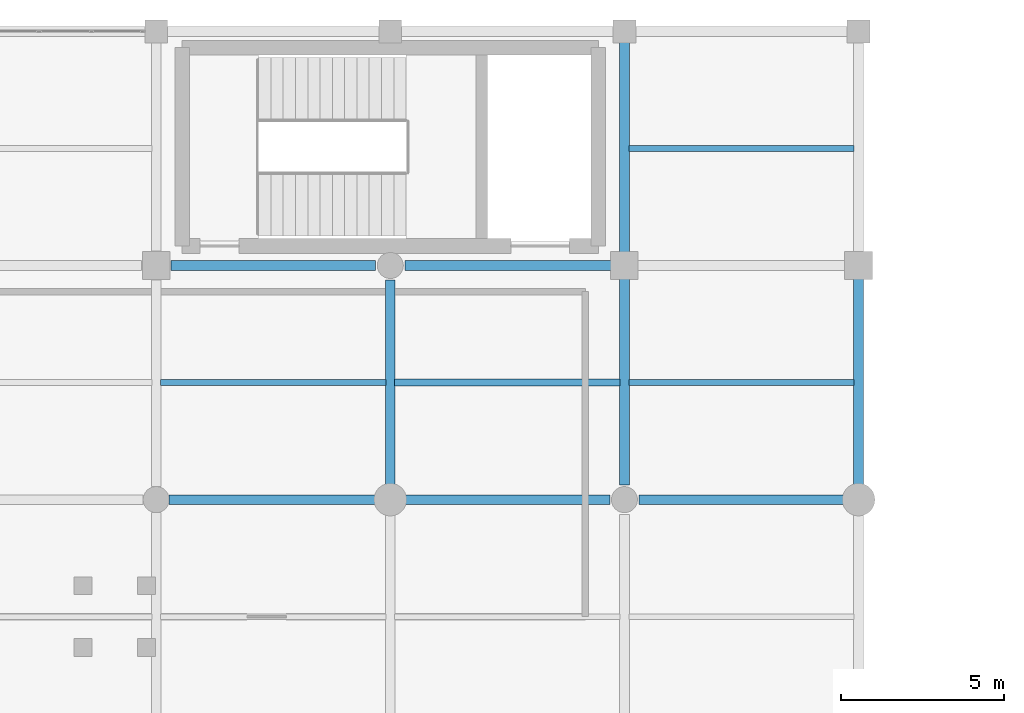
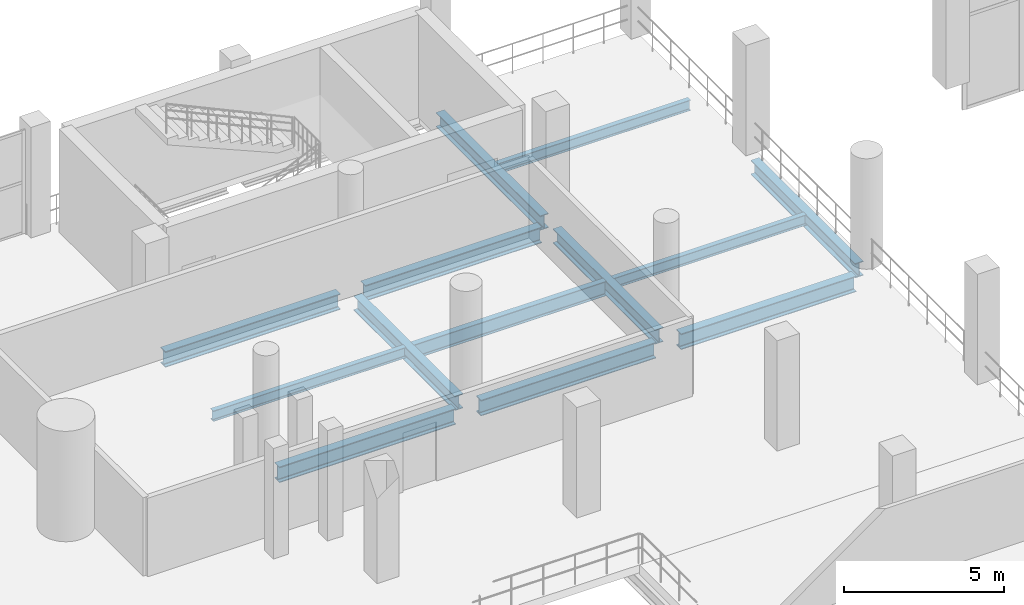
# One storey, part 60 of 153: 13 beams.
"""IFC4 building model written with IfcOpenShell, lengths in metres."""

from ifc_helpers import new_model, si_unit, direction, frame, origin, origin_2d, place, context, subcontext, project, spatial, i_section, extrude, material, material_profile, profile_set, type_object, element, save


model = new_model("IFC4")

# Units and contexts
model_context = context("Model", 3, precision=1e-05, world=origin(), true_north=direction((0.0, 1.0)))
body_context = subcontext(model_context, "Body", "Model", "MODEL_VIEW")
ifc_project = project(units=[si_unit("LENGTHUNIT", "METRE"), si_unit("AREAUNIT", "SQUARE_METRE"), si_unit("VOLUMEUNIT", "CUBIC_METRE"), si_unit("PLANEANGLEUNIT", "RADIAN"), si_unit("MASSUNIT", "GRAM", prefix="KILO")], contexts=[model_context])

# Site, building, storey
site_placement = place(None, origin())
site = spatial("IfcSite", under=ifc_project, at=site_placement, CompositionType="ELEMENT")
building_placement = place(site_placement, origin())
building = spatial("IfcBuilding", under=site, at=building_placement, Name="Qandorah Velis Arena", CompositionType="ELEMENT")
storey_placement = place(building_placement, frame((0.0, 0.0, 5.39990234375)))
storey = spatial("IfcBuildingStorey", under=building, at=storey_placement, Name="L01", CompositionType="ELEMENT", Elevation=5.39990234375)

# Beams
ifc_material = material(Name="Steel S355", Category="steel")
ifc_material_profile_1 = material_profile(ifc_material, i_section(OverallWidth=0.300048828125, OverallDepth=0.550048828125, WebThickness=0.014892578125, FlangeThickness=0.029052734375, FilletRadius=0.027099609375, at=origin_2d()), Name="HEB 550")
ifc_profile_set_1 = profile_set([ifc_material_profile_1], Name="Steel S355")
beam_type_1 = type_object("IfcBeamType", Name="STR-BM-HEB550", PredefinedType="BEAM", material=ifc_profile_set_1)
beam_1_placement = place(storey_placement, frame((100.800048828125, 115.64990234375, -0.635009765625), z_axis=(0.0, 1.0, 0.0), x_axis=(-1.0, 0.0, 0.0)))
element("IfcBeam", 1, at=beam_1_placement, inside=storey, type_object=beam_type_1, Name="Primary floor girder L01 Y-358", PredefinedType="BEAM", context=body_context, shape_type="SweptSolid", body=[
    extrude(i_section(OverallWidth=0.300048828125, OverallDepth=0.550048828125, WebThickness=0.014892578125, FlangeThickness=0.029052734375, FilletRadius=0.027099609375, at=origin_2d()), origin(), (0.0, 0.0, 1.0), 6.300048828125),
])
beam_2_placement = place(storey_placement, frame((108.0, 115.64990234375, -0.635009765625), z_axis=(0.0, 1.0, 0.0), x_axis=(-1.0, 0.0, 0.0)))
element("IfcBeam", 2, at=beam_2_placement, inside=storey, type_object=beam_type_1, Name="Primary floor girder L01 Y-375", PredefinedType="BEAM", context=body_context, shape_type="SweptSolid", body=[
    extrude(i_section(OverallWidth=0.300048828125, OverallDepth=0.550048828125, WebThickness=0.014892578125, FlangeThickness=0.029052734375, FilletRadius=0.027099609375, at=origin_2d()), origin(), (0.0, 0.0, 1.0), 6.35009765625),
])
for number, where, z_axis, x_axis, name in (
    (3, (108.0, 122.800048828125, -0.635009765625), (0.0, 1.0, 0.0), (-1.0, 0.0, 0.0), "Primary floor girder L01 Y-376"),
    (4, (115.199951171875, 115.64990234375, -0.635009765625), (0.0, 1.0, 0.0), (-1.0, 0.0, 0.0), "Primary floor girder L01 Y-392"),
):
    element("IfcBeam", number, at=place(storey_placement, frame(where, z_axis=z_axis, x_axis=x_axis)), inside=storey, type_object=beam_type_1, Name=name, PredefinedType="BEAM", context=body_context, shape_type="SweptSolid", body=[
        extrude(i_section(OverallWidth=0.300048828125, OverallDepth=0.550048828125, WebThickness=0.014892578125, FlangeThickness=0.029052734375, FilletRadius=0.027099609375, at=origin_2d()), origin(), (0.0, 0.0, 1.0), 6.5),
    ])
ifc_material_profile_2 = material_profile(ifc_material, i_section(OverallWidth=0.300048828125, OverallDepth=0.60009765625, WebThickness=0.015380859375, FlangeThickness=0.030029296875, FilletRadius=0.027099609375, at=origin_2d()), Name="HEB 600")
ifc_profile_set_2 = profile_set([ifc_material_profile_2], Name="Steel S355")
beam_type_2 = type_object("IfcBeamType", Name="STR-BM-HEB600", PredefinedType="BEAM", material=ifc_profile_set_2)
beam_3_placement = place(storey_placement, frame((94.0, 115.199951171875, -0.659912109375), z_axis=(1.0, 0.0, 0.0), x_axis=(0.0, 1.0, 0.0)))
element("IfcBeam", 5, at=beam_3_placement, inside=storey, type_object=beam_type_2, Name="Primary floor girder L01 X-183", PredefinedType="BEAM", context=body_context, shape_type="SweptSolid", body=[
    extrude(i_section(OverallWidth=0.300048828125, OverallDepth=0.60009765625, WebThickness=0.015380859375, FlangeThickness=0.030029296875, FilletRadius=0.027099609375, at=origin_2d()), origin(), (0.0, 0.0, 1.0), 6.35009765625),
])
for number, where, z_axis, x_axis, name in (
    (6, (101.25, 115.199951171875, -0.659912109375), (1.0, 0.0, 0.0), (0.0, 1.0, 0.0), "Primary floor girder L01 X-184"),
    (7, (108.449951171875, 115.199951171875, -0.659912109375), (1.0, 0.0, 0.0), (0.0, 1.0, 0.0), "Primary floor girder L01 X-185"),
    (8, (94.050048828125, 122.39990234375, -0.659912109375), (1.0, 0.0, 0.0), (0.0, 1.0, 0.0), "Primary floor girder L01 X-200"),
):
    element("IfcBeam", number, at=place(storey_placement, frame(where, z_axis=z_axis, x_axis=x_axis)), inside=storey, type_object=beam_type_2, Name=name, PredefinedType="BEAM", context=body_context, shape_type="SweptSolid", body=[
        extrude(i_section(OverallWidth=0.300048828125, OverallDepth=0.60009765625, WebThickness=0.015380859375, FlangeThickness=0.030029296875, FilletRadius=0.027099609375, at=origin_2d()), origin(), (0.0, 0.0, 1.0), 6.300048828125),
    ])
beam_4_placement = place(storey_placement, frame((101.25, 122.39990234375, -0.659912109375), z_axis=(1.0, 0.0, 0.0), x_axis=(0.0, 1.0, 0.0)))
element("IfcBeam", 9, at=beam_4_placement, inside=storey, type_object=beam_type_2, Name="Primary floor girder L01 X-201", PredefinedType="BEAM", context=body_context, shape_type="SweptSolid", body=[
    extrude(i_section(OverallWidth=0.300048828125, OverallDepth=0.60009765625, WebThickness=0.015380859375, FlangeThickness=0.030029296875, FilletRadius=0.027099609375, at=origin_2d()), origin(), (0.0, 0.0, 1.0), 6.35009765625),
])
ifc_material_profile_3 = material_profile(ifc_material, i_section(OverallWidth=0.179931640625, OverallDepth=0.39990234375, WebThickness=0.008544921875, FlangeThickness=0.013427734375, FilletRadius=0.02099609375, at=origin_2d()), Name="IPE 400")
ifc_profile_set_3 = profile_set([ifc_material_profile_3], Name="Steel S355")
beam_type_3 = type_object("IfcBeamType", Name="STR-JST-IPE400", PredefinedType="JOIST", material=ifc_profile_set_3)
for number, where, z_axis, x_axis, name in (
    (10, (93.735107421875, 118.800048828125, -0.559814453125), (1.0, 0.0, 0.0), (0.0, 1.0, 0.0), "Secondary floor joist L01-107"),
    (11, (108.135009765625, 118.800048828125, -0.559814453125), (1.0, 0.0, 0.0), (0.0, 1.0, 0.0), "Secondary floor joist L01-131"),
    (12, (108.135009765625, 126.0, -0.559814453125), (1.0, 0.0, 0.0), (0.0, 1.0, 0.0), "Secondary floor joist L01-132"),
):
    element("IfcBeam", number, at=place(storey_placement, frame(where, z_axis=z_axis, x_axis=x_axis)), inside=storey, type_object=beam_type_3, Name=name, PredefinedType="JOIST", context=body_context, shape_type="SweptSolid", body=[
        extrude(i_section(OverallWidth=0.179931640625, OverallDepth=0.39990234375, WebThickness=0.008544921875, FlangeThickness=0.013427734375, FilletRadius=0.02099609375, at=origin_2d()), origin(), (0.0, 0.0, 1.0), 6.929931640625),
    ])
ifc_material_profile_4 = material_profile(ifc_material, i_section(OverallWidth=0.2099609375, OverallDepth=0.550048828125, WebThickness=0.010986328125, FlangeThickness=0.01708984375, FilletRadius=0.02392578125, at=origin_2d()), Name="IPE 550")
ifc_profile_set_4 = profile_set([ifc_material_profile_4], Name="Steel S355")
beam_type_4 = type_object("IfcBeamType", Name="STR-JST-IPE550", PredefinedType="JOIST", material=ifc_profile_set_4)
beam_5_placement = place(storey_placement, frame((100.93505859375, 118.800048828125, -0.635009765625), z_axis=(1.0, 0.0, 0.0), x_axis=(0.0, 1.0, 0.0)))
element("IfcBeam", 13, at=beam_5_placement, inside=storey, type_object=beam_type_4, Name="Secondary floor joist L01-116", PredefinedType="JOIST", context=body_context, shape_type="SweptSolid", body=[
    extrude(i_section(OverallWidth=0.2099609375, OverallDepth=0.550048828125, WebThickness=0.010986328125, FlangeThickness=0.01708984375, FilletRadius=0.02392578125, at=origin_2d()), origin(), (0.0, 0.0, 1.0), 6.929931640625),
])

save(model, "model.ifc")
